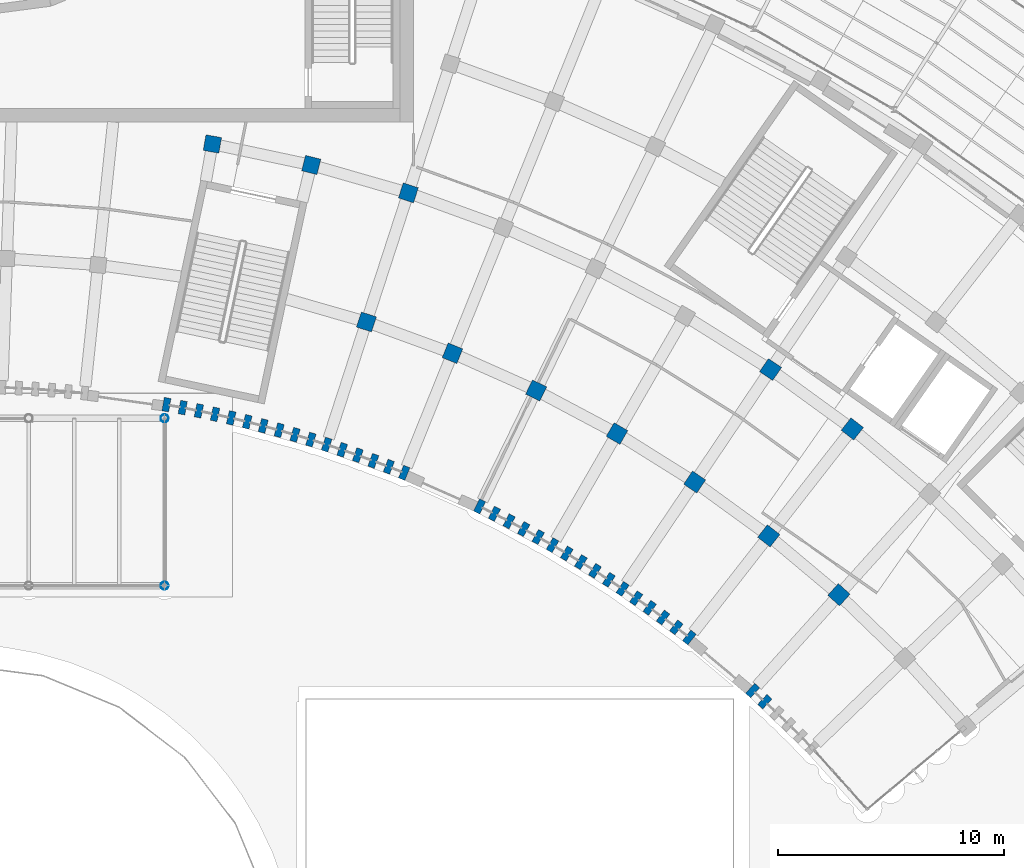
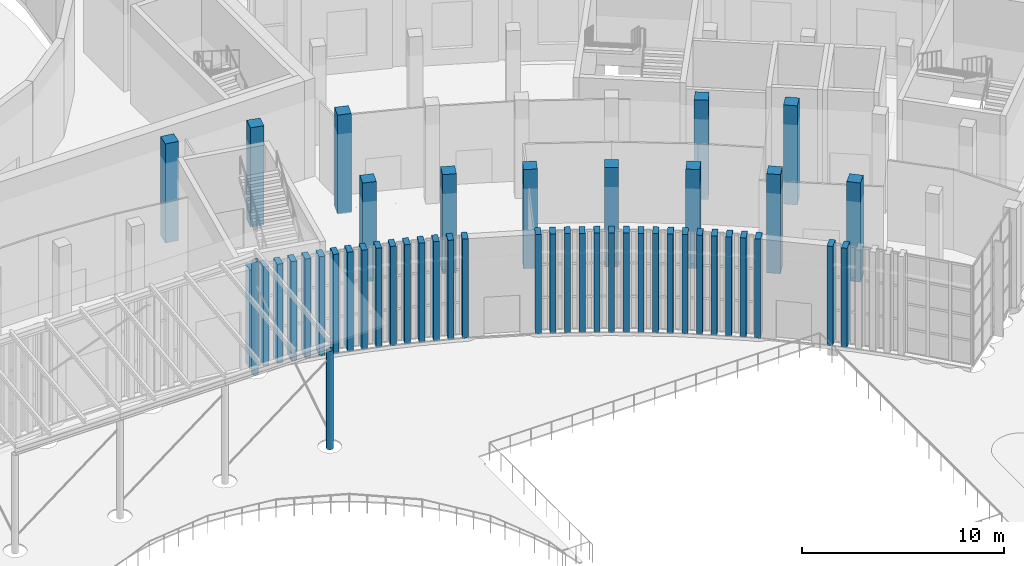
# One storey, part 5 of 155: 48 columns.
"""IFC4 building model written with IfcOpenShell, lengths in metres."""

from ifc_helpers import new_model, si_unit, direction, frame, origin, origin_2d, place, context, subcontext, project, spatial, rectangle, hollow_circle, extrude, material, material_profile, profile_set, type_object, element, save


model = new_model("IFC4")

# Units and contexts
model_context = context("Model", 3, precision=1e-05, world=origin(), true_north=direction((0.0, 1.0)))
body_context = subcontext(model_context, "Body", "Model", "MODEL_VIEW")
ifc_project = project(units=[si_unit("LENGTHUNIT", "METRE"), si_unit("AREAUNIT", "SQUARE_METRE"), si_unit("VOLUMEUNIT", "CUBIC_METRE"), si_unit("PLANEANGLEUNIT", "RADIAN"), si_unit("MASSUNIT", "GRAM", prefix="KILO")], contexts=[model_context])

# Site, building, storey
site_placement = place(None, origin())
site = spatial("IfcSite", under=ifc_project, at=site_placement, CompositionType="ELEMENT")
building_placement = place(site_placement, origin())
building = spatial("IfcBuilding", under=site, at=building_placement, Name="Lunette Opera House", CompositionType="ELEMENT")
storey_placement = place(building_placement, origin())
storey = spatial("IfcBuildingStorey", under=building, at=storey_placement, Name="L00", CompositionType="ELEMENT", Elevation=0.0)

# Columns
ifc_material_1 = material(Name="Concrete C40/50", Category="concrete")
ifc_material_profile_1 = material_profile(ifc_material_1, rectangle(XDim=0.300048828125, YDim=0.60009765625, at=origin_2d()), Name="PIER 300X600")
ifc_profile_set_1 = profile_set([ifc_material_profile_1], Name="Concrete C40/50")
column_type_1 = type_object("IfcColumnType", Name="PIER 300X600", PredefinedType="COLUMN", material=ifc_profile_set_1)
for number, where, z_axis, x_axis, name in (
    (1, (105.08203125, 51.5048828125, 0.0), (0.0, 0.0, 1.0), (0.984807753012, -0.173648177667, 0.0), "col-FC-L00-P051"),
    (2, (105.800048828125, 51.3740234375, 0.0), (0.0, 0.0, 1.0), (0.982287250729, -0.187381314586, 0.0), "col-FC-L00-P052"),
    (3, (106.51611328125, 51.23193359375, 0.0), (0.0, 0.0, 1.0), (0.979575249599, -0.201077921146, 0.0), "col-FC-L00-P053"),
    (4, (107.23095703125, 51.080078125, 0.0), (0.0, 0.0, 1.0), (0.976672278334, -0.214735327167, 0.0), "col-FC-L00-P054"),
    (5, (107.943115234375, 50.91796875, 0.0), (0.0, 0.0, 1.0), (0.973578902873, -0.228350870111, 0.0), "col-FC-L00-P055"),
    (6, (108.653076171875, 50.74609375, 0.0), (0.0, 0.0, 1.0), (0.970295726276, -0.2419218956, 0.0), "col-FC-L00-P056"),
    (7, (109.360107421875, 50.56494140625, 0.0), (0.0, 0.0, 1.0), (0.966823388604, -0.255445757936, 0.0), "col-FC-L00-P057"),
    (8, (110.06494140625, 50.373046875, 0.0), (0.0, 0.0, 1.0), (0.963162566798, -0.268919820615, 0.0), "col-FC-L00-P058"),
    (9, (110.76611328125, 50.172119140625, 0.0), (0.0, 0.0, 1.0), (0.95931397454, -0.282341456843, 0.0), "col-FC-L00-P059"),
    (10, (111.466064453125, 49.9609375, 0.0), (0.0, 0.0, 1.0), (0.955278362122, -0.295708050044, 0.0), "col-FC-L00-P060"),
    (11, (112.162109375, 49.739990234375, 0.0), (0.0, 0.0, 1.0), (0.951056516295, -0.309016994375, 0.0), "col-FC-L00-P061"),
    (12, (112.85400390625, 49.510009765625, 0.0), (0.0, 0.0, 1.0), (0.946649260116, -0.322265695231, 0.0), "col-FC-L00-P062"),
    (13, (113.5439453125, 49.27001953125, 0.0), (0.0, 0.0, 1.0), (0.942057452787, -0.33545156975, 0.0), "col-FC-L00-P063"),
    (14, (114.22998046875, 49.02001953125, 0.0), (0.0, 0.0, 1.0), (0.937281989492, -0.348572047322, 0.0), "col-FC-L00-P064"),
    (15, (114.9130859375, 48.760986328125, 0.0), (0.0, 0.0, 1.0), (0.932323801216, -0.361624570082, 0.0), "col-FC-L00-P065"),
    (16, (115.592041015625, 48.491943359375, 0.0), (0.0, 0.0, 1.0), (0.927183854567, -0.374606593416, 0.0), "col-FC-L00-P066"),
    (17, (118.927001953125, 47.007080078125, 0.0), (0.0, 0.0, 1.0), (0.898794046299, -0.438371146789, 0.0), "col-FC-L00-P067"),
    (18, (119.5810546875, 46.681884765625, 0.0), (0.0, 0.0, 1.0), (0.892585818452, -0.450877540689, 0.0), "col-FC-L00-P068"),
    (19, (120.22998046875, 46.347900390625, 0.0), (0.0, 0.0, 1.0), (0.886203579231, -0.46329603512, 0.0), "col-FC-L00-P069"),
    (20, (120.875, 46.006103515625, 0.0), (0.0, 0.0, 1.0), (0.879648572867, -0.47562420907, 0.0), "col-FC-L00-P070"),
    (21, (121.514892578125, 45.654052734375, 0.0), (0.0, 0.0, 1.0), (0.87292207727, -0.487859659139, 0.0), "col-FC-L00-P071"),
    (22, (122.14990234375, 45.29296875, 0.0), (0.0, 0.0, 1.0), (0.866025403784, -0.5, 0.0), "col-FC-L00-P072"),
    (23, (122.780029296875, 44.924072265625, 0.0), (0.0, 0.0, 1.0), (0.858959896931, -0.512042864871, 0.0), "col-FC-L00-P073"),
    (24, (123.404052734375, 44.544921875, 0.0), (0.0, 0.0, 1.0), (0.851726934143, -0.52398590597, 0.0), "col-FC-L00-P074"),
    (25, (124.02392578125, 44.157958984375, 0.0), (0.0, 0.0, 1.0), (0.844327925502, -0.535826794979, 0.0), "col-FC-L00-P075"),
    (26, (124.637939453125, 43.762939453125, 0.0), (0.0, 0.0, 1.0), (0.836764313459, -0.547563223493, 0.0), "col-FC-L00-P076"),
    (27, (125.24609375, 43.35888671875, 0.0), (0.0, 0.0, 1.0), (0.829037572555, -0.559192903471, 0.0), "col-FC-L00-P077"),
    (28, (125.847900390625, 42.946044921875, 0.0), (0.0, 0.0, 1.0), (0.821149209134, -0.570713567684, 0.0), "col-FC-L00-P078"),
    (29, (126.445068359375, 42.52490234375, 0.0), (0.0, 0.0, 1.0), (0.813100761047, -0.582122970157, 0.0), "col-FC-L00-P079"),
    (30, (127.035888671875, 42.095947265625, 0.0), (0.0, 0.0, 1.0), (0.804893797356, -0.593418886604, 0.0), "col-FC-L00-P080"),
    (31, (127.62109375, 41.658935546875, 0.0), (0.0, 0.0, 1.0), (0.796529918024, -0.604599114862, 0.0), "col-FC-L00-P081"),
    (32, (128.198974609375, 41.212890625, 0.0), (0.0, 0.0, 1.0), (0.788010753607, -0.615661475326, 0.0), "col-FC-L00-P082"),
    (33, (130.99609375, 38.865966796875, 0.0), (0.0, 0.0, 1.0), (0.743144825477, -0.669130606359, 0.0), "col-FC-L00-P083"),
    (34, (131.534912109375, 38.3740234375, 0.0), (0.0, 0.0, 1.0), (0.733729864503, -0.679441304262, 0.0), "col-FC-L00-P084"),
):
    element("IfcColumn", number, at=place(storey_placement, frame(where, z_axis=z_axis, x_axis=x_axis)), inside=storey, type_object=column_type_1, Name=name, PredefinedType="COLUMN", context=body_context, shape_type="SweptSolid", body=[
        extrude(rectangle(XDim=0.300048828125, YDim=0.60009765625, at=origin_2d()), origin(), (0.0, 0.0, 1.0), 6.0),
    ])
ifc_material_2 = material(Name="Concrete C35/45", Category="concrete")
ifc_material_profile_2 = material_profile(ifc_material_2, rectangle(XDim=0.699951171875, YDim=0.699951171875, at=origin_2d()), Name="RC COLUMN 700X700")
ifc_profile_set_2 = profile_set([ifc_material_profile_2], Name="Concrete C35/45")
column_type_2 = type_object("IfcColumnType", Name="RC COLUMN 700X700", PredefinedType="COLUMN", material=ifc_profile_set_2)
for number, where, z_axis, x_axis, name in (
    (35, (113.923095703125, 55.160888671875, 0.0), (0.0, 0.0, 1.0), (0.951056516295, -0.309016994375, 0.0), "col-FC-L00-AR-M1-RL-18"),
    (36, (117.72705078125, 53.777099609375, 0.0), (0.0, 0.0, 1.0), (0.927183854567, -0.374606593416, 0.0), "col-FC-L00-AR-M1-RL-19"),
    (37, (121.426025390625, 52.1298828125, 0.0), (0.0, 0.0, 1.0), (0.898794046299, -0.438371146789, 0.0), "col-FC-L00-AR-M1-RL-20"),
    (38, (125.0, 50.22900390625, 0.0), (0.0, 0.0, 1.0), (0.866025403784, -0.5, 0.0), "col-FC-L00-AR-M1-RL-21"),
    (39, (128.43310546875, 48.083984375, 0.0), (0.0, 0.0, 1.0), (0.829037572555, -0.559192903471, 0.0), "col-FC-L00-AR-M1-RL-22"),
    (40, (131.7080078125, 45.705078125, 0.0), (0.0, 0.0, 1.0), (0.788010753607, -0.615661475326, 0.0), "col-FC-L00-AR-M1-RL-23"),
    (41, (134.81005859375, 43.10205078125, 0.0), (0.0, 0.0, 1.0), (0.743144825477, -0.669130606359, 0.0), "col-FC-L00-AR-M1-RL-24"),
    (42, (107.113037109375, 63.028076171875, 0.0), (0.0, 0.0, 1.0), (0.984807753012, -0.173648177667, 0.0), "col-FC-L00-AR-B-RL-16"),
    (43, (111.48291015625, 62.09912109375, 0.0), (0.0, 0.0, 1.0), (0.970295726276, -0.2419218956, 0.0), "col-FC-L00-AR-B-RL-17"),
    (44, (115.777099609375, 60.867919921875, 0.0), (0.0, 0.0, 1.0), (0.951056516295, -0.309016994375, 0.0), "col-FC-L00-AR-B-RL-18"),
    (45, (131.7880859375, 53.05810546875, 0.0), (0.0, 0.0, 1.0), (0.829037572555, -0.559192903471, 0.0), "col-FC-L00-AR-B-RL-22"),
    (46, (135.402099609375, 50.43310546875, 0.0), (0.0, 0.0, 1.0), (0.788010753607, -0.615661475326, 0.0), "col-FC-L00-AR-B-RL-23"),
):
    element("IfcColumn", number, at=place(storey_placement, frame(where, z_axis=z_axis, x_axis=x_axis)), inside=storey, type_object=column_type_2, Name=name, PredefinedType="COLUMN", context=body_context, shape_type="SweptSolid", body=[
        extrude(rectangle(XDim=0.699951171875, YDim=0.699951171875, at=origin_2d()), origin(), (0.0, 0.0, 1.0), 6.0),
    ])
ifc_material_3 = material(Name="Steel S355", Category="steel")
ifc_material_profile_3 = material_profile(ifc_material_3, hollow_circle(Radius=0.177734375, WallThickness=0.012451171875, at=origin_2d()), Name="CHS 355.6X12.5")
ifc_profile_set_3 = profile_set([ifc_material_profile_3], Name="Steel S355")
column_type_3 = type_object("IfcColumnType", Name="STEEL COLUMN CHS 355.6X12.5", PredefinedType="COLUMN", material=ifc_profile_set_3)
column_1_placement = place(storey_placement, frame((105.0, 43.5, -0.10009765625), z_axis=(0.0, 0.0, 1.0), x_axis=(1.0, 0.0, 0.0)))
element("IfcColumn", 47, at=column_1_placement, inside=storey, type_object=column_type_3, Name="col-EC-L00-C4", PredefinedType="COLUMN", context=body_context, shape_type="SweptSolid", body=[
    extrude(hollow_circle(Radius=0.177734375, WallThickness=0.012451171875, at=origin_2d()), origin(), (0.0, 0.0, 1.0), 5.961181640625),
])
column_2_placement = place(storey_placement, frame((105.0, 50.89990234375, -0.10009765625), z_axis=(0.0, 0.0, 1.0), x_axis=(1.0, 0.0, 0.0)))
element("IfcColumn", 48, at=column_2_placement, inside=storey, type_object=column_type_3, Name="col-EC-L00-C8", PredefinedType="COLUMN", context=body_context, shape_type="SweptSolid", body=[
    extrude(hollow_circle(Radius=0.177734375, WallThickness=0.012451171875, at=origin_2d()), origin(), (0.0, 0.0, 1.0), 6.8662109375),
])

save(model, "model.ifc")
